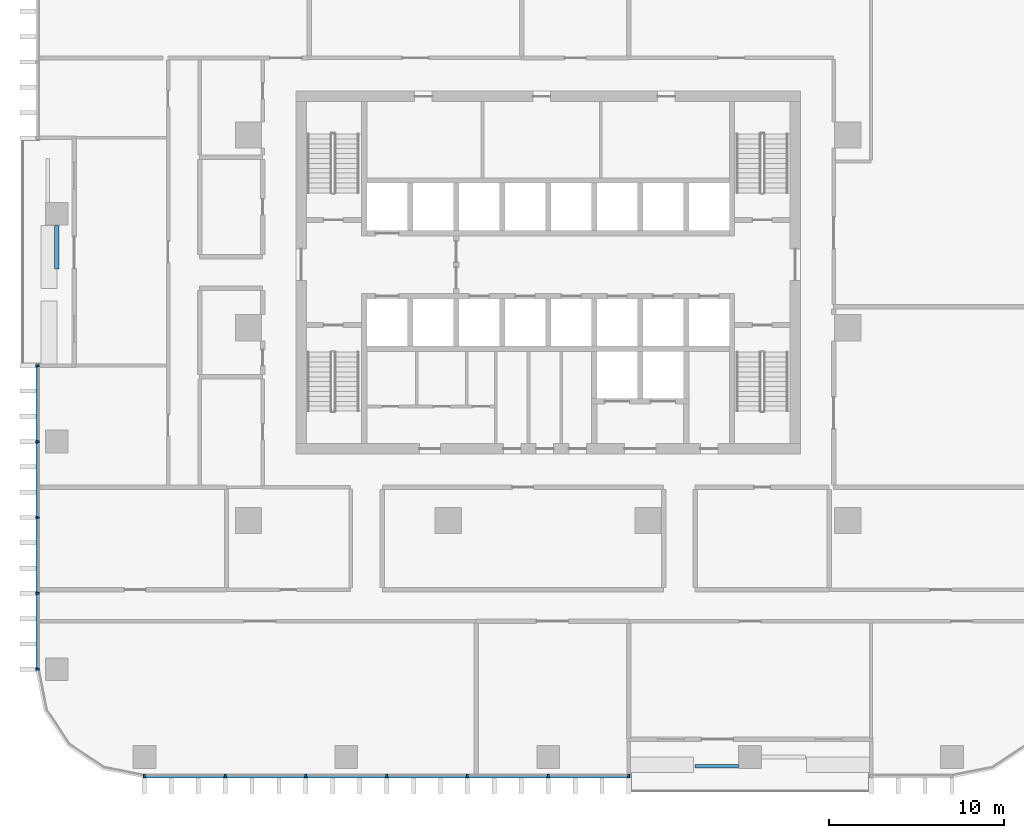
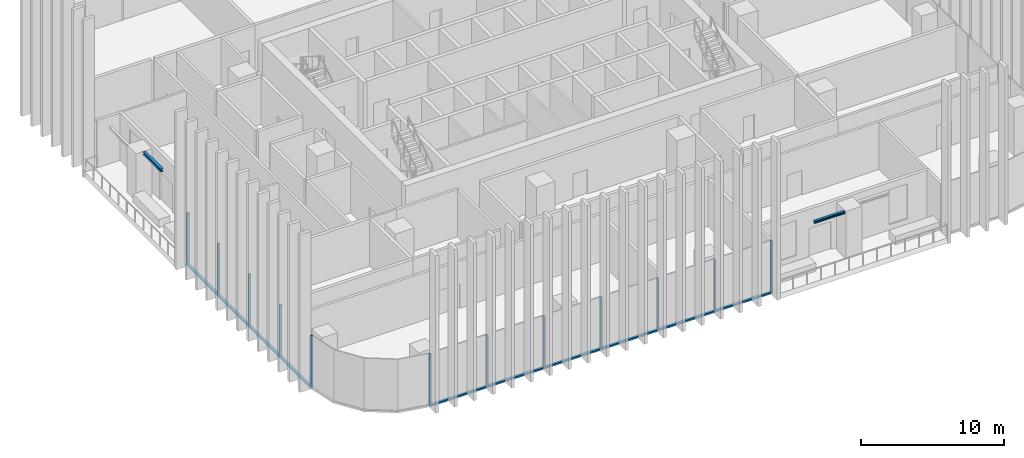
# One storey, part 2 of 17: 22 members, 2 beams, 2 elements without a shape of their own.
"""IFC4 building model written with IfcOpenShell, lengths in metres."""

from ifc_helpers import new_model, si_unit, direction, frame, origin, origin_2d, place, context, subcontext, project, spatial, rectangle, i_section, extrude, material, material_profile, profile_set, type_object, element, aggregate, save


model = new_model("IFC4")

# Units and contexts
model_context = context("Model", 3, precision=1e-05, world=origin(), true_north=direction((0.0, 1.0)))
body_context = subcontext(model_context, "Body", "Model", "MODEL_VIEW")
ifc_project = project(units=[si_unit("LENGTHUNIT", "METRE"), si_unit("AREAUNIT", "SQUARE_METRE"), si_unit("VOLUMEUNIT", "CUBIC_METRE"), si_unit("PLANEANGLEUNIT", "RADIAN"), si_unit("MASSUNIT", "GRAM", prefix="KILO")], contexts=[model_context])

# Site, building, storey
site_placement = place(None, origin())
site = spatial("IfcSite", under=ifc_project, at=site_placement, CompositionType="ELEMENT")
building_placement = place(site_placement, origin())
building = spatial("IfcBuilding", under=site, at=building_placement, Name="Mopane Tessera Tower", CompositionType="ELEMENT")
storey_placement = place(building_placement, frame((0.0, 0.0, 108.10009765625)))
storey = spatial("IfcBuildingStorey", under=building, at=storey_placement, Name="L21", CompositionType="ELEMENT", Elevation=108.10009765625)

# Curtain wall, members
ifc_material_1 = material(Name="Aluminium frame", Category="aluminium")
curtain_wall_type = type_object("IfcCurtainWallType", Name="Lower tower unitised wall", PredefinedType="NOTDEFINED", material=ifc_material_1)
curtain_wall_1_placement = place(storey_placement, origin())
curtain_wall_1 = element("IfcCurtainWall", 1, at=curtain_wall_1_placement, inside=storey, type_object=curtain_wall_type, Name="e:cw:L21:S:0", PredefinedType="NOTDEFINED")
ifc_material_2 = material(Name="Aluminium frame", Category="aluminium")
ifc_material_profile_1 = material_profile(ifc_material_2, rectangle(XDim=0.110107421875, YDim=0.199951171875, at=origin_2d()))
ifc_profile_set_1 = profile_set([ifc_material_profile_1], Name="Aluminium frame")
member_type_1 = type_object("IfcMemberType", Name="Aluminium mullion 110 x 200", PredefinedType="MULLION", material=ifc_profile_set_1)
member_1_placement = place(storey_placement, frame((-23.050048828125, -25.60009765625, -0.4501953125), z_axis=(0.0, 0.0, 1.0), x_axis=(1.0, 0.0, 0.0)))
member_1 = element("IfcMember", 2, at=member_1_placement, type_object=member_type_1, Name="e:cw:L21:S:0:mu0", PredefinedType="MULLION", context=body_context, shape_type="SweptSolid", body=[
    extrude(rectangle(XDim=0.110107421875, YDim=0.199951171875, at=origin_2d()), origin(), (0.0, 0.0, 1.0), 4.5),
])
member_2_placement = place(storey_placement, frame((-18.43994140625, -25.60009765625, -0.4501953125), z_axis=(0.0, 0.0, 1.0), x_axis=(1.0, 0.0, 0.0)))
member_2 = element("IfcMember", 3, at=member_2_placement, type_object=member_type_1, Name="e:cw:L21:S:0:mu1", PredefinedType="MULLION", context=body_context, shape_type="SweptSolid", body=[
    extrude(rectangle(XDim=0.110107421875, YDim=0.199951171875, at=origin_2d()), origin(), (0.0, 0.0, 1.0), 4.5),
])
member_3_placement = place(storey_placement, frame((-13.830078125, -25.60009765625, -0.4501953125), z_axis=(0.0, 0.0, 1.0), x_axis=(1.0, 0.0, 0.0)))
member_3 = element("IfcMember", 4, at=member_3_placement, type_object=member_type_1, Name="e:cw:L21:S:0:mu2", PredefinedType="MULLION", context=body_context, shape_type="SweptSolid", body=[
    extrude(rectangle(XDim=0.110107421875, YDim=0.199951171875, at=origin_2d()), origin(), (0.0, 0.0, 1.0), 4.5),
])
member_4_placement = place(storey_placement, frame((-9.219970703125, -25.60009765625, -0.4501953125), z_axis=(0.0, 0.0, 1.0), x_axis=(1.0, 0.0, 0.0)))
member_4 = element("IfcMember", 5, at=member_4_placement, type_object=member_type_1, Name="e:cw:L21:S:0:mu3", PredefinedType="MULLION", context=body_context, shape_type="SweptSolid", body=[
    extrude(rectangle(XDim=0.110107421875, YDim=0.199951171875, at=origin_2d()), origin(), (0.0, 0.0, 1.0), 4.5),
])
member_5_placement = place(storey_placement, frame((-4.610107421875, -25.60009765625, -0.4501953125), z_axis=(0.0, 0.0, 1.0), x_axis=(1.0, 0.0, 0.0)))
member_5 = element("IfcMember", 6, at=member_5_placement, type_object=member_type_1, Name="e:cw:L21:S:0:mu4", PredefinedType="MULLION", context=body_context, shape_type="SweptSolid", body=[
    extrude(rectangle(XDim=0.110107421875, YDim=0.199951171875, at=origin_2d()), origin(), (0.0, 0.0, 1.0), 4.5),
])
member_6_placement = place(storey_placement, frame((0.0, -25.60009765625, -0.4501953125), z_axis=(0.0, 0.0, 1.0), x_axis=(1.0, 0.0, 0.0)))
member_6 = element("IfcMember", 7, at=member_6_placement, type_object=member_type_1, Name="e:cw:L21:S:0:mu5", PredefinedType="MULLION", context=body_context, shape_type="SweptSolid", body=[
    extrude(rectangle(XDim=0.110107421875, YDim=0.199951171875, at=origin_2d()), origin(), (0.0, 0.0, 1.0), 4.5),
])
member_7_placement = place(storey_placement, frame((4.610107421875, -25.60009765625, -0.4501953125), z_axis=(0.0, 0.0, 1.0), x_axis=(1.0, 0.0, 0.0)))
member_7 = element("IfcMember", 8, at=member_7_placement, type_object=member_type_1, Name="e:cw:L21:S:0:mu6", PredefinedType="MULLION", context=body_context, shape_type="SweptSolid", body=[
    extrude(rectangle(XDim=0.110107421875, YDim=0.199951171875, at=origin_2d()), origin(), (0.0, 0.0, 1.0), 4.5),
])

curtain_wall_2_placement = place(storey_placement, origin())
curtain_wall_2 = element("IfcCurtainWall", 9, at=curtain_wall_2_placement, inside=storey, type_object=curtain_wall_type, Name="e:cw:L21:W:5", PredefinedType="NOTDEFINED")
member_8_placement = place(storey_placement, frame((-29.14990234375, -2.166748046875, -0.4501953125), z_axis=(0.0, 0.0, 1.0), x_axis=(0.0, -1.0, 0.0)))
member_8 = element("IfcMember", 10, at=member_8_placement, type_object=member_type_1, Name="e:cw:L21:W:5:mu5", PredefinedType="MULLION", context=body_context, shape_type="SweptSolid", body=[
    extrude(rectangle(XDim=0.110107421875, YDim=0.199951171875, at=origin_2d()), origin(), (0.0, 0.0, 1.0), 4.5),
])
member_9_placement = place(storey_placement, frame((-29.14990234375, -6.5, -0.4501953125), z_axis=(0.0, 0.0, 1.0), x_axis=(0.0, -1.0, 0.0)))
member_9 = element("IfcMember", 11, at=member_9_placement, type_object=member_type_1, Name="e:cw:L21:W:5:mu6", PredefinedType="MULLION", context=body_context, shape_type="SweptSolid", body=[
    extrude(rectangle(XDim=0.110107421875, YDim=0.199951171875, at=origin_2d()), origin(), (0.0, 0.0, 1.0), 4.5),
])
member_10_placement = place(storey_placement, frame((-29.14990234375, -10.833251953125, -0.4501953125), z_axis=(0.0, 0.0, 1.0), x_axis=(0.0, -1.0, 0.0)))
member_10 = element("IfcMember", 12, at=member_10_placement, type_object=member_type_1, Name="e:cw:L21:W:5:mu7", PredefinedType="MULLION", context=body_context, shape_type="SweptSolid", body=[
    extrude(rectangle(XDim=0.110107421875, YDim=0.199951171875, at=origin_2d()), origin(), (0.0, 0.0, 1.0), 4.5),
])
member_11_placement = place(storey_placement, frame((-29.14990234375, -15.166748046875, -0.4501953125), z_axis=(0.0, 0.0, 1.0), x_axis=(0.0, -1.0, 0.0)))
member_11 = element("IfcMember", 13, at=member_11_placement, type_object=member_type_1, Name="e:cw:L21:W:5:mu8", PredefinedType="MULLION", context=body_context, shape_type="SweptSolid", body=[
    extrude(rectangle(XDim=0.110107421875, YDim=0.199951171875, at=origin_2d()), origin(), (0.0, 0.0, 1.0), 4.5),
])
member_12_placement = place(storey_placement, frame((-29.14990234375, -19.5, -0.4501953125), z_axis=(0.0, 0.0, 1.0), x_axis=(0.0, -1.0, 0.0)))
member_12 = element("IfcMember", 14, at=member_12_placement, type_object=member_type_1, Name="e:cw:L21:W:5:mu9", PredefinedType="MULLION", context=body_context, shape_type="SweptSolid", body=[
    extrude(rectangle(XDim=0.110107421875, YDim=0.199951171875, at=origin_2d()), origin(), (0.0, 0.0, 1.0), 4.5),
])

# Member
ifc_material_3 = material(Name="Aluminium frame", Category="aluminium")
ifc_material_profile_2 = material_profile(ifc_material_3, rectangle(XDim=0.199951171875, YDim=0.139892578125, at=origin_2d()))
ifc_profile_set_2 = profile_set([ifc_material_profile_2], Name="Aluminium frame")
member_type_2 = type_object("IfcMemberType", Name="Aluminium transom 200 x 140", PredefinedType="USERDEFINED", material=ifc_profile_set_2)
member_13_placement = place(storey_placement, frame((-22.9951171875, -25.60009765625, -0.380126953125), z_axis=(1.0, 0.0, 0.0), x_axis=(0.0, 1.0, 0.0)))
member_13 = element("IfcMember", 15, at=member_13_placement, type_object=member_type_2, Name="e:cw:L21:S:0:tr0", ObjectType="TRANSOM", PredefinedType="USERDEFINED", context=body_context, shape_type="SweptSolid", body=[
    extrude(rectangle(XDim=0.199951171875, YDim=0.139892578125, at=origin_2d()), origin(), (0.0, 0.0, 1.0), 4.5),
])

member_14_placement = place(storey_placement, frame((-18.385009765625, -25.60009765625, -0.380126953125), z_axis=(1.0, 0.0, 0.0), x_axis=(0.0, 1.0, 0.0)))
member_14 = element("IfcMember", 16, at=member_14_placement, type_object=member_type_2, Name="e:cw:L21:S:0:tr1", ObjectType="TRANSOM", PredefinedType="USERDEFINED", context=body_context, shape_type="SweptSolid", body=[
    extrude(rectangle(XDim=0.199951171875, YDim=0.139892578125, at=origin_2d()), origin(), (0.0, 0.0, 1.0), 4.5),
])

member_15_placement = place(storey_placement, frame((-13.77490234375, -25.60009765625, -0.380126953125), z_axis=(1.0, 0.0, 0.0), x_axis=(0.0, 1.0, 0.0)))
member_15 = element("IfcMember", 17, at=member_15_placement, type_object=member_type_2, Name="e:cw:L21:S:0:tr2", ObjectType="TRANSOM", PredefinedType="USERDEFINED", context=body_context, shape_type="SweptSolid", body=[
    extrude(rectangle(XDim=0.199951171875, YDim=0.139892578125, at=origin_2d()), origin(), (0.0, 0.0, 1.0), 4.5),
])

member_16_placement = place(storey_placement, frame((-9.1650390625, -25.60009765625, -0.380126953125), z_axis=(1.0, 0.0, 0.0), x_axis=(0.0, 1.0, 0.0)))
member_16 = element("IfcMember", 18, at=member_16_placement, type_object=member_type_2, Name="e:cw:L21:S:0:tr3", ObjectType="TRANSOM", PredefinedType="USERDEFINED", context=body_context, shape_type="SweptSolid", body=[
    extrude(rectangle(XDim=0.199951171875, YDim=0.139892578125, at=origin_2d()), origin(), (0.0, 0.0, 1.0), 4.5),
])

member_17_placement = place(storey_placement, frame((-4.554931640625, -25.60009765625, -0.380126953125), z_axis=(1.0, 0.0, 0.0), x_axis=(0.0, 1.0, 0.0)))
member_17 = element("IfcMember", 19, at=member_17_placement, type_object=member_type_2, Name="e:cw:L21:S:0:tr4", ObjectType="TRANSOM", PredefinedType="USERDEFINED", context=body_context, shape_type="SweptSolid", body=[
    extrude(rectangle(XDim=0.199951171875, YDim=0.139892578125, at=origin_2d()), origin(), (0.0, 0.0, 1.0), 4.5),
])

member_18_placement = place(storey_placement, frame((0.054931640625, -25.60009765625, -0.380126953125), z_axis=(1.0, 0.0, 0.0), x_axis=(0.0, 1.0, 0.0)))
member_18 = element("IfcMember", 20, at=member_18_placement, type_object=member_type_2, Name="e:cw:L21:S:0:tr5", ObjectType="TRANSOM", PredefinedType="USERDEFINED", context=body_context, shape_type="SweptSolid", body=[
    extrude(rectangle(XDim=0.199951171875, YDim=0.139892578125, at=origin_2d()), origin(), (0.0, 0.0, 1.0), 4.5),
])

aggregate(curtain_wall_1, [member_1, member_2, member_3, member_4, member_5, member_6, member_7, member_13, member_14, member_15, member_16, member_17, member_18])

member_19_placement = place(storey_placement, frame((-29.14990234375, -2.2216796875, -0.380126953125), z_axis=(0.0, -1.0, 0.0), x_axis=(1.0, 0.0, 0.0)))
member_19 = element("IfcMember", 21, at=member_19_placement, type_object=member_type_2, Name="e:cw:L21:W:5:tr5", ObjectType="TRANSOM", PredefinedType="USERDEFINED", context=body_context, shape_type="SweptSolid", body=[
    extrude(rectangle(XDim=0.199951171875, YDim=0.139892578125, at=origin_2d()), origin(), (0.0, 0.0, 1.0), 4.223388671875),
])

member_20_placement = place(storey_placement, frame((-29.14990234375, -6.554931640625, -0.380126953125), z_axis=(0.0, -1.0, 0.0), x_axis=(1.0, 0.0, 0.0)))
member_20 = element("IfcMember", 22, at=member_20_placement, type_object=member_type_2, Name="e:cw:L21:W:5:tr6", ObjectType="TRANSOM", PredefinedType="USERDEFINED", context=body_context, shape_type="SweptSolid", body=[
    extrude(rectangle(XDim=0.199951171875, YDim=0.139892578125, at=origin_2d()), origin(), (0.0, 0.0, 1.0), 4.223388671875),
])

member_21_placement = place(storey_placement, frame((-29.14990234375, -10.888427734375, -0.380126953125), z_axis=(0.0, -1.0, 0.0), x_axis=(1.0, 0.0, 0.0)))
member_21 = element("IfcMember", 23, at=member_21_placement, type_object=member_type_2, Name="e:cw:L21:W:5:tr7", ObjectType="TRANSOM", PredefinedType="USERDEFINED", context=body_context, shape_type="SweptSolid", body=[
    extrude(rectangle(XDim=0.199951171875, YDim=0.139892578125, at=origin_2d()), origin(), (0.0, 0.0, 1.0), 4.22314453125),
])

member_22_placement = place(storey_placement, frame((-29.14990234375, -15.2216796875, -0.380126953125), z_axis=(0.0, -1.0, 0.0), x_axis=(1.0, 0.0, 0.0)))
member_22 = element("IfcMember", 24, at=member_22_placement, type_object=member_type_2, Name="e:cw:L21:W:5:tr8", ObjectType="TRANSOM", PredefinedType="USERDEFINED", context=body_context, shape_type="SweptSolid", body=[
    extrude(rectangle(XDim=0.199951171875, YDim=0.139892578125, at=origin_2d()), origin(), (0.0, 0.0, 1.0), 4.223388671875),
])

aggregate(curtain_wall_2, [member_8, member_9, member_10, member_11, member_12, member_19, member_20, member_21, member_22])

# Beams
ifc_material_4 = material(Name="Structural steel S460", Category="steel")
ifc_material_profile_3 = material_profile(ifc_material_4, i_section(OverallWidth=0.239990234375, OverallDepth=0.239990234375, WebThickness=0.010009765625, FlangeThickness=0.01708984375, FilletRadius=0.02099609375, at=origin_2d()))
ifc_profile_set_3 = profile_set([ifc_material_profile_3], Name="Structural steel S460")
beam_type_1 = type_object("IfcBeamType", Name="Terrace spandrel beam HE 240 B", PredefinedType="SPANDREL", material=ifc_profile_set_3)
beam_1_placement = place(storey_placement, frame((-28.050048828125, 5.846923828125, 3.929931640625), z_axis=(0.0, -1.0, 0.0), x_axis=(1.0, 0.0, 0.0)))
element("IfcBeam", 25, at=beam_1_placement, inside=storey, type_object=beam_type_1, Name="Terrace spandrel beam N2 L22", PredefinedType="SPANDREL", context=body_context, shape_type="SweptSolid", body=[
    extrude(i_section(OverallWidth=0.239990234375, OverallDepth=0.239990234375, WebThickness=0.010009765625, FlangeThickness=0.01708984375, FilletRadius=0.02099609375, at=origin_2d()), origin(), (0.0, 0.0, 1.0), 2.5),
])
ifc_material_5 = material(Name="Structural steel S460", Category="steel")
ifc_material_profile_4 = material_profile(ifc_material_5, i_section(OverallWidth=0.199951171875, OverallDepth=0.199951171875, WebThickness=0.009033203125, FlangeThickness=0.014892578125, FilletRadius=0.01806640625, at=origin_2d()))
ifc_profile_set_4 = profile_set([ifc_material_profile_4], Name="Structural steel S460")
beam_type_2 = type_object("IfcBeamType", Name="Terrace trimmer beam HE 200 B", PredefinedType="BEAM", material=ifc_profile_set_4)
beam_2_placement = place(storey_placement, frame((10.871826171875, -25.02001953125, 3.949951171875), z_axis=(-1.0, 0.0, 0.0), x_axis=(0.0, -1.0, 0.0)))
element("IfcBeam", 26, at=beam_2_placement, inside=storey, type_object=beam_type_2, Name="Terrace trimmer beam N3 L22", PredefinedType="BEAM", context=body_context, shape_type="SweptSolid", body=[
    extrude(i_section(OverallWidth=0.199951171875, OverallDepth=0.199951171875, WebThickness=0.009033203125, FlangeThickness=0.014892578125, FilletRadius=0.01806640625, at=origin_2d()), origin(), (0.0, 0.0, 1.0), 2.5),
])

save(model, "model.ifc")
